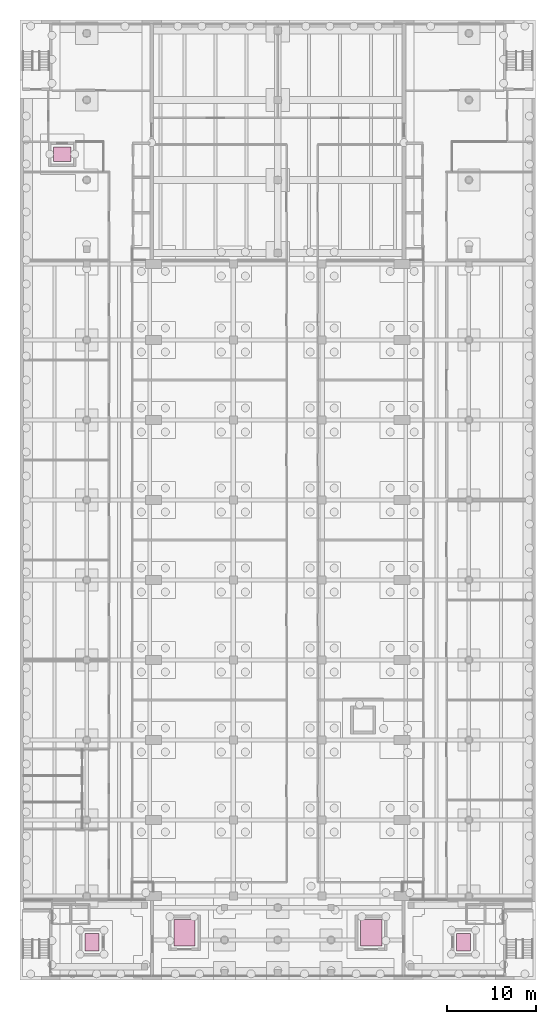
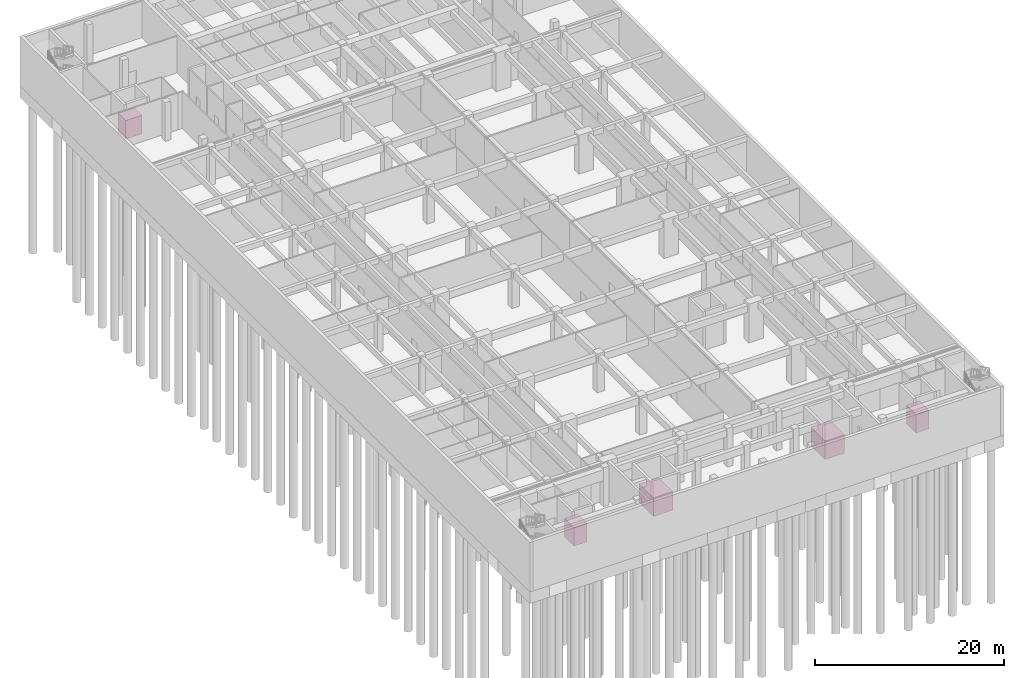
# One storey, part 19 of 19: 5 transport elements.
"""IFC4 building model written with IfcOpenShell, lengths in metres."""

import ifcopenshell
import ifcopenshell.guid

model = None  # the IFC model being written
_history = None  # IfcOwnerHistory: only IFC2X3 demands one
_inside = {}  # id of a spatial element -> (the spatial element, [elements in it])
_under = {}  # id of a project, library or spatial element -> (it, [spatial elements below it])
_declared = {}  # id of a project -> (the project, [libraries it declares])
_typed = {}  # id of a type object -> (the type object, [elements of that type])
_made_of = {}  # id of a material, layer set ... -> (it, [elements and type objects made of it])


def new_model(schema):
    """Start an empty IFC model of exactly this schema.

    Asked for "IFC4X3", IfcOpenShell would pick the latest addendum, in which some entities
    have other attributes; the version numbers below select the first issue.
    IFC2X3 requires an IfcOwnerHistory on every rooted entity: one is made here for all.
    """
    global model, _history
    if schema == "IFC4X3":
        model = ifcopenshell.file(schema_version=(4, 3, 0, 0))
    else:
        model = ifcopenshell.file(schema=schema)
    _inside.clear()
    _under.clear()
    _declared.clear()
    _typed.clear()
    _made_of.clear()
    _history = None
    if model.schema == "IFC2X3":
        org = make("IfcOrganization", Name="unknown")
        user = make(
            "IfcPersonAndOrganization",
            ThePerson=make("IfcPerson", FamilyName="unknown"),
            TheOrganization=org,
        )
        app = make(
            "IfcApplication",
            ApplicationDeveloper=org,
            Version="unknown",
            ApplicationFullName="unknown",
            ApplicationIdentifier="unknown",
        )
        _history = make(
            "IfcOwnerHistory",
            OwningUser=user,
            OwningApplication=app,
            ChangeAction="ADDED",
            CreationDate=0,
        )
    return model


def make(cls, **values):
    """One entity of the class cls with the attributes given. An attribute that is None is left unset."""
    return model.create_entity(
        cls, **{name: value for name, value in values.items() if value is not None}
    )


def rooted(cls, **values):
    """An entity with a GlobalId (a new one), such as an element, a storey or a relation."""
    return make(cls, GlobalId=ifcopenshell.guid.new(), OwnerHistory=_history, **values)


def si_unit(unit_type, name, prefix=None):
    """IfcSIUnit, for example si_unit("LENGTHUNIT", "METRE", prefix="MILLI")."""
    return make("IfcSIUnit", UnitType=unit_type, Prefix=prefix, Name=name)


def assignment(units):
    """IfcUnitAssignment: the units of a project."""
    return None if units is None else make("IfcUnitAssignment", Units=units)


def point(xyz):
    """IfcCartesianPoint."""
    return None if xyz is None else make("IfcCartesianPoint", Coordinates=xyz)


def direction(xyz):
    """IfcDirection."""
    return None if xyz is None else make("IfcDirection", DirectionRatios=xyz)


def frame(location, z_axis=None, x_axis=None):
    """IfcAxis2Placement3D, a coordinate frame: its origin and axes. An axis left out is left unset."""
    return make(
        "IfcAxis2Placement3D",
        Location=point(location),
        Axis=direction(z_axis),
        RefDirection=direction(x_axis),
    )


def frame_2d(location, x_axis=None):
    """IfcAxis2Placement2D, a coordinate frame in the plane: its origin and x axis."""
    return make(
        "IfcAxis2Placement2D", Location=point(location), RefDirection=direction(x_axis)
    )


def origin():
    """The frame at (0, 0, 0) with its axes left unset."""
    return frame((0.0, 0.0, 0.0))


def origin_2d():
    """The frame at (0, 0) in the plane with its x axis left unset."""
    return frame_2d((0.0, 0.0))


def place(relative_to, where):
    """IfcLocalPlacement: puts the frame where relative to a parent placement (None: the world)."""
    return make(
        "IfcLocalPlacement", PlacementRelTo=relative_to, RelativePlacement=where
    )


def context(
    kind, dimensions, precision=None, world=None, true_north=None, identifier=None
):
    """IfcGeometricRepresentationContext, for example the 3D "Model" context."""
    return make(
        "IfcGeometricRepresentationContext",
        ContextIdentifier=identifier,
        ContextType=kind,
        CoordinateSpaceDimension=dimensions,
        Precision=precision,
        WorldCoordinateSystem=world,
        TrueNorth=true_north,
    )


def subcontext(parent, identifier, kind, view, scale=None):
    """IfcGeometricRepresentationSubContext, for example "Body" below "Model"."""
    return make(
        "IfcGeometricRepresentationSubContext",
        ContextIdentifier=identifier,
        ContextType=kind,
        ParentContext=parent,
        TargetScale=scale,
        TargetView=view,
    )


def project(units=None, contexts=None):
    """IfcProject with its units and contexts."""
    return rooted(
        "IfcProject",
        Name="project",
        RepresentationContexts=contexts,
        UnitsInContext=assignment(units),
    )


def spatial(cls, under=None, at=None, **own):
    """A site, building, storey or space (cls), placed at a placement, below another one or the project."""
    s = rooted(cls, ObjectPlacement=at, **own)
    if under is not None:
        _under.setdefault(under.id(), (under, []))[1].append(s)
    return s


def profile(cls, at=None, kind="AREA", **sizes):
    """A parametric profile (cls). Its sizes go by their IFC names, for example OverallWidth=200.0."""
    return make(cls, ProfileType=kind, Position=at, **sizes)


def rectangle(**sizes):
    """IfcRectangleProfileDef."""
    return profile("IfcRectangleProfileDef", **sizes)


def extrude(swept, where, along, depth):
    """IfcExtrudedAreaSolid: the profile swept, set in the frame where, extruded along a direction by depth."""
    return make(
        "IfcExtrudedAreaSolid",
        SweptArea=swept,
        Position=where,
        ExtrudedDirection=direction(along),
        Depth=depth,
    )


def shape(context_of_items, identifier, shape_type, items):
    """IfcShapeRepresentation: the items that make up one representation, for example the "Body"."""
    return make(
        "IfcShapeRepresentation",
        ContextOfItems=context_of_items,
        RepresentationIdentifier=identifier,
        RepresentationType=shape_type,
        Items=items,
    )


def material(Name=None, Category=None):
    """IfcMaterial."""
    return make("IfcMaterial", Name=Name, Category=Category)


def made_of(thing, what):
    """Note that an element or type object is made of a material, layer set ...; save() writes the relation."""
    if what is not None:
        _made_of.setdefault(what.id(), (what, []))[1].append(thing)
    return thing


def type_object(cls, material=None, **own):
    """A type object (cls), such as IfcWallType, which elements share."""
    return made_of(rooted(cls, **own), material)


def element(
    cls,
    number,
    at=None,
    inside=None,
    cuts=None,
    type_object=None,
    material=None,
    context=None,
    identifier="Body",
    shape_type=None,
    held_by="IfcProductDefinitionShape",
    body=None,
    shapes=None,
    **own,
):
    """One element of the class cls, such as IfcWall. Its Tag is "e" and its number.

    at: its placement. inside: the storey or other place that contains it. cuts: it is an
    opening in that element (IfcRelVoidsElement). A single representation is given by context,
    identifier, shape_type and body (its items); several are given by shapes. held_by: the class
    of the entity that holds the representations. save() writes the other relations.
    """
    e = rooted(cls, Tag="e%d" % number, ObjectPlacement=at, **own)
    if body is not None:
        shapes = [shape(context, identifier, shape_type, body)]
    if shapes is not None:
        e.Representation = make(held_by, Representations=shapes)
    if inside is not None:
        _inside.setdefault(inside.id(), (inside, []))[1].append(e)
    if cuts is not None:
        rooted(
            "IfcRelVoidsElement", RelatingBuildingElement=cuts, RelatedOpeningElement=e
        )
    if type_object is not None:
        _typed.setdefault(type_object.id(), (type_object, []))[1].append(e)
    return made_of(e, material)


def aggregate(whole, parts):
    """IfcRelAggregates: a whole, such as a stair, and the parts it consists of."""
    return rooted("IfcRelAggregates", RelatingObject=whole, RelatedObjects=parts)


def save(model, path):
    """Write the relations noted so far, then the file.

    IfcRelAggregates (storeys below a building ...), IfcRelContainedInSpatialStructure (elements
    in a storey), IfcRelDefinesByType, IfcRelAssociatesMaterial and IfcRelDeclares: one each for
    every whole, place, type object, material and project.
    """
    for whole, parts in _under.values():
        aggregate(whole, parts)
    for where, things in _inside.values():
        rooted(
            "IfcRelContainedInSpatialStructure",
            RelatedElements=things,
            RelatingStructure=where,
        )
    for kind, things in _typed.values():
        rooted("IfcRelDefinesByType", RelatedObjects=things, RelatingType=kind)
    for what, things in _made_of.values():
        rooted("IfcRelAssociatesMaterial", RelatedObjects=things, RelatingMaterial=what)
    for by, libraries in _declared.values():
        rooted("IfcRelDeclares", RelatingContext=by, RelatedDefinitions=libraries)
    model.write(path)


model = new_model("IFC4")

# Units and contexts
model_context = context("Model", 3, precision=1e-05, world=origin(), true_north=direction((0.0, 1.0)))
body_context = subcontext(model_context, "Body", "Model", "MODEL_VIEW")
ifc_project = project(units=[si_unit("LENGTHUNIT", "METRE"), si_unit("AREAUNIT", "SQUARE_METRE"), si_unit("VOLUMEUNIT", "CUBIC_METRE"), si_unit("PLANEANGLEUNIT", "RADIAN"), si_unit("MASSUNIT", "GRAM", prefix="KILO")], contexts=[model_context])

# Site, building, storey
site_placement = place(None, origin())
site = spatial("IfcSite", under=ifc_project, at=site_placement, CompositionType="ELEMENT")
building_placement = place(site_placement, origin())
building = spatial("IfcBuilding", under=site, at=building_placement, Name="Elmora Arch Market Hall", CompositionType="ELEMENT")
storey_placement = place(building_placement, frame((0.0, 0.0, -10.0)))
storey = spatial("IfcBuildingStorey", under=building, at=storey_placement, Name="B1", CompositionType="ELEMENT", Elevation=-10.0)

# Transport elements
ifc_material_1 = material(Name="Stainless steel ASTM A240 Type 304", Category="steel")
transport_element_type_1 = type_object("IfcTransportElementType", Name="Lift car 2000 x 1600 1600 kg", PredefinedType="ELEVATOR", material=ifc_material_1)
transport_element_placement = place(storey_placement, frame((4.75, 110.89990234375, 0.0), z_axis=(0.0, 0.0, 1.0), x_axis=(1.0, 0.0, 0.0)))
element("IfcTransportElement", 1, at=transport_element_placement, inside=storey, type_object=transport_element_type_1, Name="Lift PL1", PredefinedType="ELEVATOR", context=body_context, shape_type="SweptSolid", body=[
    extrude(rectangle(XDim=2.0, YDim=1.60009765625, at=origin_2d()), origin(), (0.0, 0.0, 1.0), 2.39990234375),
])
for number, where, z_axis, x_axis, name in (
    (2, (8.10009765625, 22.25, 0.0), (0.0, 0.0, 1.0), (1.0, 0.0, 0.0), "Lift WL1"),
    (3, (49.89990234375, 22.25, 0.0), (0.0, 0.0, 1.0), (1.0, 0.0, 0.0), "Lift WL2"),
):
    element("IfcTransportElement", number, at=place(storey_placement, frame(where, z_axis=z_axis, x_axis=x_axis)), inside=storey, type_object=transport_element_type_1, Name=name, PredefinedType="ELEVATOR", context=body_context, shape_type="SweptSolid", body=[
        extrude(rectangle(XDim=1.60009765625, YDim=2.0, at=origin_2d()), origin(), (0.0, 0.0, 1.0), 2.39990234375),
    ])
ifc_material_2 = material(Name="Stainless steel ASTM A240 Type 304", Category="steel")
transport_element_type_2 = type_object("IfcTransportElementType", Name="Lift car 2400 x 3000 3600 kg", PredefinedType="ELEVATOR", material=ifc_material_2)
for number, where, z_axis, x_axis, name in (
    (4, (18.5, 23.300048828125, 0.0), (0.0, 0.0, 1.0), (1.0, 0.0, 0.0), "Lift GL1"),
    (5, (39.5, 23.300048828125, 0.0), (0.0, 0.0, 1.0), (1.0, 0.0, 0.0), "Lift GL2"),
):
    element("IfcTransportElement", number, at=place(storey_placement, frame(where, z_axis=z_axis, x_axis=x_axis)), inside=storey, type_object=transport_element_type_2, Name=name, PredefinedType="ELEVATOR", context=body_context, shape_type="SweptSolid", body=[
        extrude(rectangle(XDim=2.39990234375, YDim=3.0, at=origin_2d()), origin(), (0.0, 0.0, 1.0), 2.39990234375),
    ])

save(model, "model.ifc")
